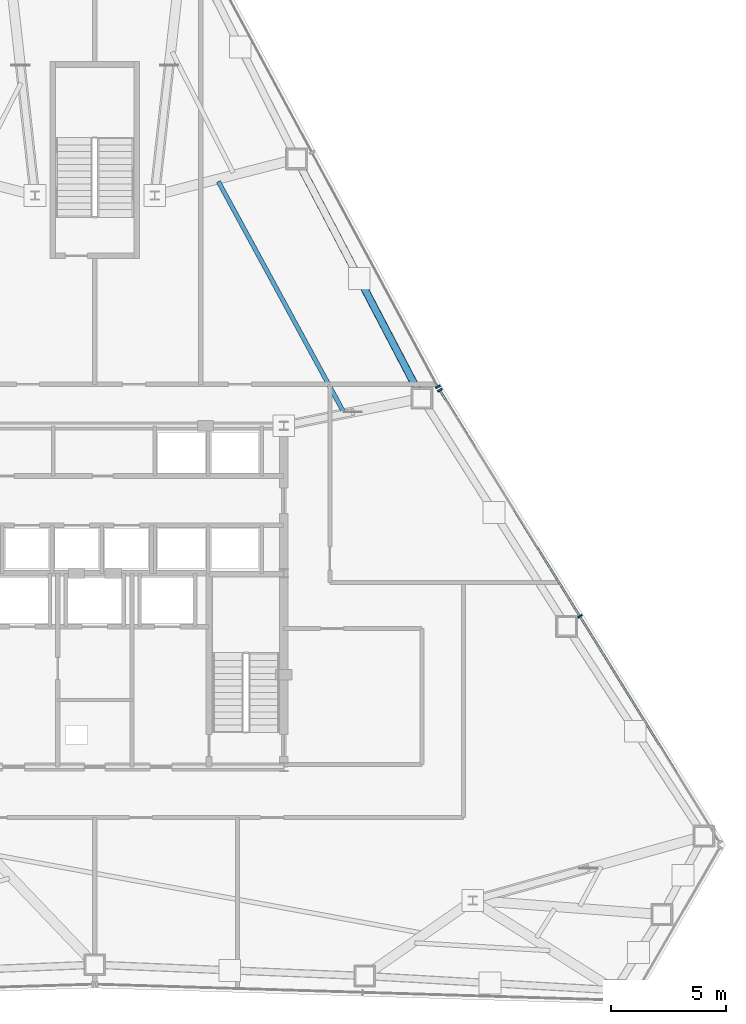
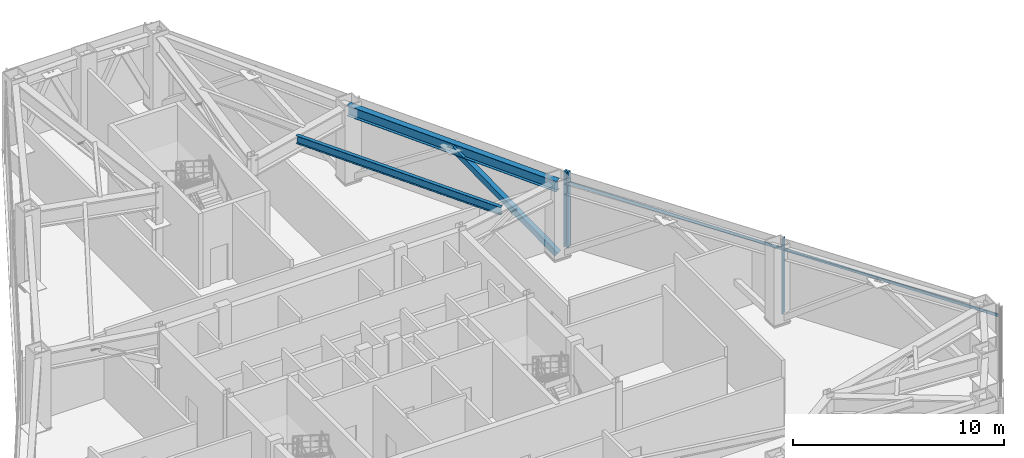
# One storey, part 6 of 12: 5 members, 2 beams, 2 elements without a shape of their own.
"""IFC4 building model written with IfcOpenShell, lengths in metres."""

from ifc_helpers import new_model, si_unit, direction, frame, origin, origin_2d, place, context, subcontext, project, spatial, rectangle, hollow_rectangle, i_section, extrude, source, transform, mapped, material, layer, layer_set, material_profile, profile_set, type_object, type_shapes, element, aggregate, save


model = new_model("IFC4")

# Units and contexts
model_context = context("Model", 3, precision=1e-05, world=origin(), true_north=direction((0.0, 1.0)))
body_context = subcontext(model_context, "Body", "Model", "MODEL_VIEW")
ifc_project = project(units=[si_unit("LENGTHUNIT", "METRE"), si_unit("AREAUNIT", "SQUARE_METRE"), si_unit("VOLUMEUNIT", "CUBIC_METRE"), si_unit("PLANEANGLEUNIT", "RADIAN"), si_unit("MASSUNIT", "GRAM", prefix="KILO")], contexts=[model_context])

# Site, building, storey
site_placement = place(None, origin())
site = spatial("IfcSite", under=ifc_project, at=site_placement, CompositionType="ELEMENT")
building_placement = place(site_placement, origin())
building = spatial("IfcBuilding", under=site, at=building_placement, Name="Varakhsha Concourse Tower", CompositionType="ELEMENT")
storey_placement = place(building_placement, frame((0.0, 0.0, 157.39990234375)))
storey = spatial("IfcBuildingStorey", under=building, at=storey_placement, Name="L45", CompositionType="ELEMENT", Elevation=157.39990234375)

# Beams
ifc_material_1 = material(Name="Structural Steel ASTM A992 Grade 50", Category="steel")
ifc_material_profile_1 = material_profile(ifc_material_1, i_section(OverallWidth=0.19091796875, OverallDepth=0.45703125, WebThickness=0.009033203125, FlangeThickness=0.013916015625, at=origin_2d()), Name="W18X50")
ifc_profile_set_1 = profile_set([ifc_material_profile_1], Name="Structural Steel ASTM A992 Grade 50")
beam_type_1 = type_object("IfcBeamType", Name="BM-JST-W18X50", PredefinedType="JOIST", material=ifc_profile_set_1)
beam_1_placement = place(storey_placement, frame((50.7841796875, 31.822021484375, 4.131591796875), z_axis=(-0.477440074464, 0.878664313202, 0.0), x_axis=(-0.878664313202, -0.477440074464, 0.0)))
element("IfcBeam", 1, at=beam_1_placement, inside=storey, type_object=beam_type_1, Name="BM-TJST-L45-17", PredefinedType="JOIST", context=body_context, shape_type="SweptSolid", body=[
    extrude(i_section(OverallWidth=0.19091796875, OverallDepth=0.45703125, WebThickness=0.009033203125, FlangeThickness=0.013916015625, at=origin_2d()), origin(), (0.0, 0.0, 1.0), 11.355712890625),
])
ifc_material_profile_2 = material_profile(ifc_material_1, i_section(OverallWidth=0.323974609375, OverallDepth=0.611083984375, WebThickness=0.012939453125, FlangeThickness=0.01904296875, at=origin_2d()), Name="W24X104")
ifc_profile_set_2 = profile_set([ifc_material_profile_2], Name="Structural Steel ASTM A992 Grade 50")
beam_type_2 = type_object("IfcBeamType", Name="BM-SPAN-W24X104", PredefinedType="SPANDREL", material=ifc_profile_set_2)
beam_2_placement = place(storey_placement, frame((54.192138671875, 32.393798828125, 4.0546875), z_axis=(-0.463424073091, 0.886136630819, 0.0), x_axis=(-0.886136630819, -0.463424073091, 0.0)))
element("IfcBeam", 2, at=beam_2_placement, inside=storey, type_object=beam_type_2, Name="BM-SPAN-L45-17", PredefinedType="SPANDREL", context=body_context, shape_type="SweptSolid", body=[
    extrude(i_section(OverallWidth=0.323974609375, OverallDepth=0.611083984375, WebThickness=0.012939453125, FlangeThickness=0.01904296875, at=origin_2d()), origin(), (0.0, 0.0, 1.0), 11.723876953125),
])

# Member
ifc_material_2 = material(Name="Structural Steel ASTM A500 Grade C", Category="steel")
ifc_material_profile_3 = material_profile(ifc_material_2, hollow_rectangle(XDim=0.300048828125, YDim=0.300048828125, WallThickness=0.013916015625, at=origin_2d()), Name="HSS 300x300x14")
ifc_profile_set_3 = profile_set([ifc_material_profile_3], Name="Structural Steel ASTM A500 Grade C")
member_type_1 = type_object("IfcMemberType", Name="MB-BELT-HSS300", PredefinedType="BRACE", material=ifc_profile_set_3)
shared_shape_1 = source(origin(), body_context, "Body", "SweptSolid", [
    extrude(hollow_rectangle(XDim=0.300048828125, YDim=0.300048828125, WallThickness=0.013916015625, at=origin_2d()), origin(), (0.0, 0.0, 1.0), 7.062744140625),
])
type_shapes(member_type_1, [shared_shape_1])
member_1_placement = place(storey_placement, frame((54.192138671875, 32.393798828125, 0.1201171875), z_axis=(-0.38462529339, 0.735444211572, 0.557839757771), x_axis=(-0.886132158429, -0.463432624875, 0.0)))
element("IfcMember", 3, at=member_1_placement, inside=storey, type_object=member_type_1, Name="L45 Belt Truss Chevron 17A", PredefinedType="BRACE", context=body_context, shape_type="MappedRepresentation", body=[
    mapped(shared_shape_1, transform((0.0, 0.0, 0.0), scale=1.0)),
])

# Curtain wall, members
ifc_material_3 = material(Name="Anodised Bronze Architectural Aluminium AA 6063-T6", Category="aluminium")
ifc_layer = layer(ifc_material_3, 0.260009765625, Name="CW-SYS-06")
ifc_layer_set = layer_set([ifc_layer], Name="Anodised Bronze Architectural Aluminium AA 6063-T6")
curtain_wall_type = type_object("IfcCurtainWallType", Name="CW-SYS-06", PredefinedType="NOTDEFINED", material=ifc_layer_set)
curtain_wall_1_placement = place(storey_placement, origin())
curtain_wall_1 = element("IfcCurtainWall", 4, at=curtain_wall_1_placement, inside=storey, type_object=curtain_wall_type, Name="L45 Crystal Curtain Wall F8", PredefinedType="NOTDEFINED")
ifc_material_profile_4 = material_profile(ifc_material_3, rectangle(XDim=0.074951171875, YDim=0.219970703125, at=origin_2d()), Name="CWM-220X75")
ifc_profile_set_4 = profile_set([ifc_material_profile_4], Name="Anodised Bronze Architectural Aluminium AA 6063-T6")
member_type_2 = type_object("IfcMemberType", Name="CWM-220X75", PredefinedType="MULLION", material=ifc_profile_set_4)
shared_shape_2 = source(origin(), body_context, "Body", "SweptSolid", [
    extrude(rectangle(XDim=0.074951171875, YDim=0.219970703125, at=origin_2d()), origin(), (0.0, 0.0, 1.0), 4.360107421875),
])
type_shapes(member_type_2, [shared_shape_2])
member_2_placement = place(storey_placement, frame((54.974609375, 32.74755859375, 0.0), z_axis=(0.0, 0.0, 1.0), x_axis=(0.526199082126, -0.850361409032, 0.0)))
member_2 = element("IfcMember", 5, at=member_2_placement, type_object=member_type_2, Name="CW-L45-F8 Mullion 00", PredefinedType="MULLION", context=body_context, shape_type="MappedRepresentation", body=[
    mapped(shared_shape_2, transform((0.0, 0.0, 0.0), scale=1.0)),
])
member_3_placement = place(storey_placement, frame((61.048095703125, 22.9326171875, 0.0), z_axis=(0.0, 0.0, 1.0), x_axis=(0.526199082126, -0.850361409032, 0.0)))
member_3 = element("IfcMember", 6, at=member_3_placement, type_object=member_type_2, Name="CW-L45-F8 Mullion 01", PredefinedType="MULLION", context=body_context, shape_type="MappedRepresentation", body=[
    mapped(shared_shape_2, transform((0.0, 0.0, 0.0), scale=1.0)),
])

# Curtain wall, member
curtain_wall_2_placement = place(storey_placement, origin())
curtain_wall_2 = element("IfcCurtainWall", 7, at=curtain_wall_2_placement, inside=storey, type_object=curtain_wall_type, Name="L45 Crystal Curtain Wall F9", PredefinedType="NOTDEFINED")
member_4_placement = place(storey_placement, frame((54.889892578125, 32.89453125, 0.0), z_axis=(0.0, 0.0, 1.0), x_axis=(0.473335041556, -0.880882477085, 0.0)))
member_4 = element("IfcMember", 8, at=member_4_placement, type_object=member_type_2, Name="CW-L45-F9 Mullion 02", PredefinedType="MULLION", context=body_context, shape_type="MappedRepresentation", body=[
    mapped(shared_shape_2, transform((0.0, 0.0, 0.0), scale=1.0)),
])
aggregate(curtain_wall_2, [member_4])

# Member
ifc_material_profile_5 = material_profile(ifc_material_3, rectangle(XDim=0.06494140625, YDim=0.159912109375, at=origin_2d()), Name="CWT-160X65")
ifc_profile_set_5 = profile_set([ifc_material_profile_5], Name="Anodised Bronze Architectural Aluminium AA 6063-T6")
member_type_3 = type_object("IfcMemberType", Name="CWT-160X65", PredefinedType="USERDEFINED", material=ifc_profile_set_5)
shared_shape_3 = source(origin(), body_context, "Body", "SweptSolid", [
    extrude(rectangle(XDim=0.06494140625, YDim=0.159912109375, at=origin_2d()), origin(), (0.0, 0.0, 1.0), 23.083984375),
])
type_shapes(member_type_3, [shared_shape_3])
member_5_placement = place(storey_placement, frame((54.974609375, 32.74755859375, 3.710205078125), z_axis=(0.52619949928, -0.850361150898, 0.0), x_axis=(0.850361150898, 0.52619949928, 0.0)))
member_5 = element("IfcMember", 9, at=member_5_placement, type_object=member_type_3, Name="CW-L45-F8 Transom 01", ObjectType="TRANSOM", PredefinedType="USERDEFINED", context=body_context, shape_type="MappedRepresentation", body=[
    mapped(shared_shape_3, transform((0.0, 0.0, 0.0), scale=1.0)),
])

aggregate(curtain_wall_1, [member_2, member_3, member_5])

save(model, "model.ifc")
